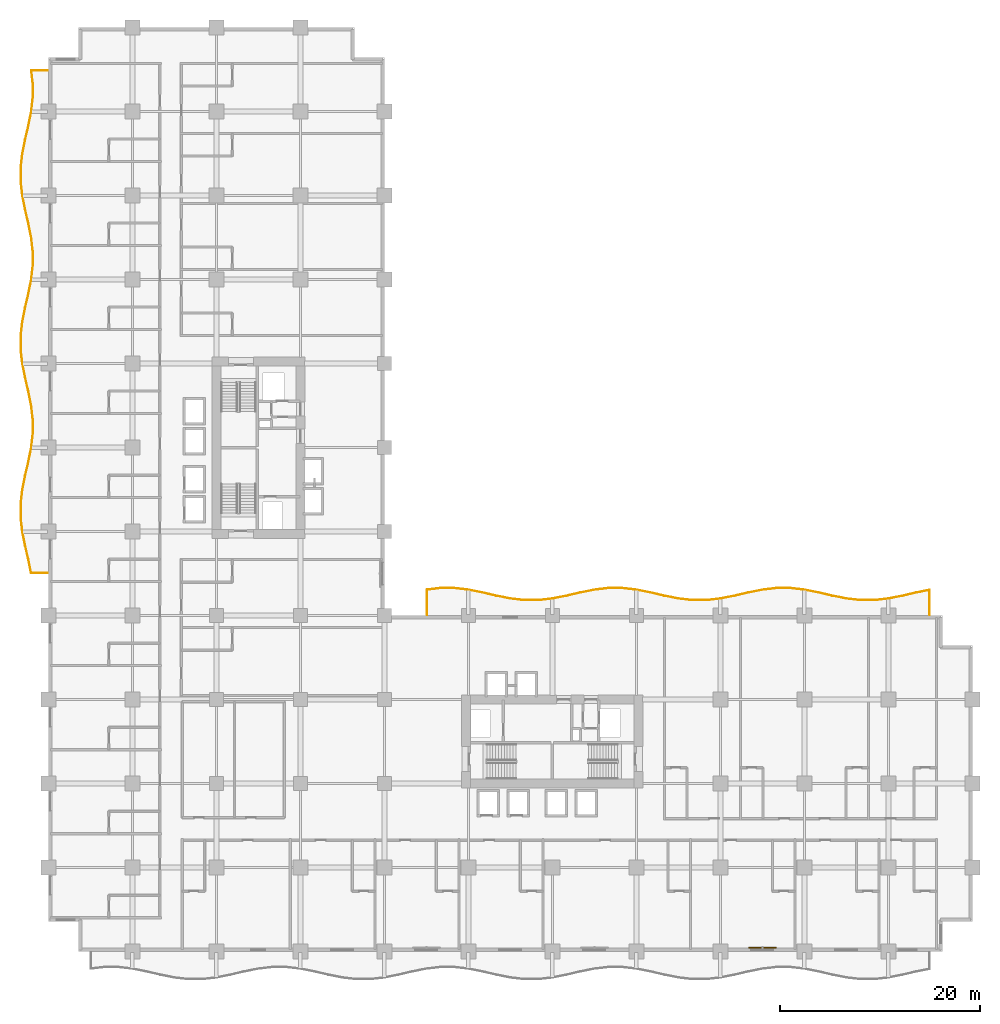
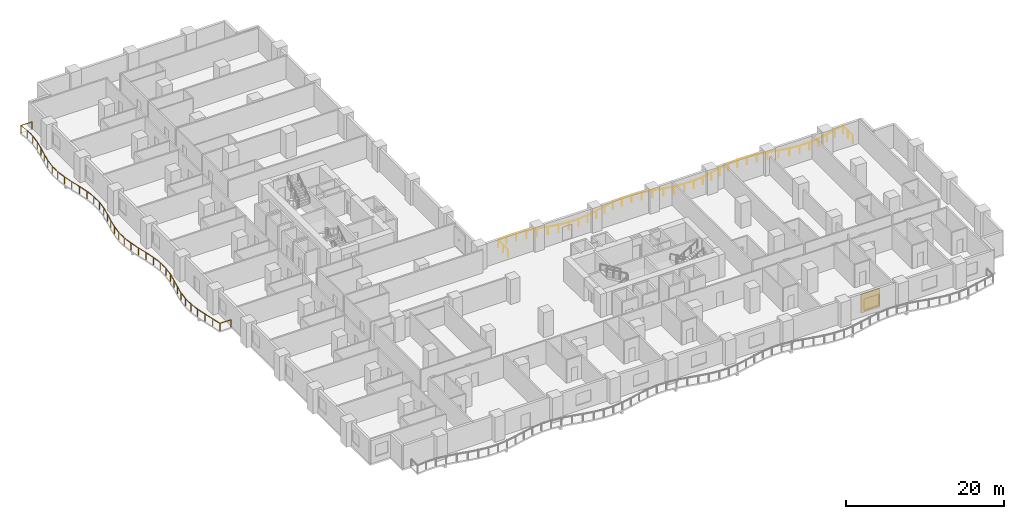
# One storey, part 20 of 20: 2 railings, 1 shading device.
"""IFC4 building model written with IfcOpenShell, lengths in metres."""

from ifc_helpers import new_model, si_unit, direction, frame, origin, origin_2d, place, context, subcontext, project, spatial, rectangle, circle, extrude, material, layer, layer_set, type_object, element, save


model = new_model("IFC4")

# Units and contexts
model_context = context("Model", 3, precision=1e-05, world=origin(), true_north=direction((0.0, 1.0)))
body_context = subcontext(model_context, "Body", "Model", "MODEL_VIEW")
ifc_project = project(units=[si_unit("LENGTHUNIT", "METRE"), si_unit("AREAUNIT", "SQUARE_METRE"), si_unit("VOLUMEUNIT", "CUBIC_METRE"), si_unit("PLANEANGLEUNIT", "RADIAN"), si_unit("MASSUNIT", "GRAM", prefix="KILO")], contexts=[model_context])

# Site, building, storey
site_placement = place(None, origin())
site = spatial("IfcSite", under=ifc_project, at=site_placement, CompositionType="ELEMENT")
building_placement = place(site_placement, origin())
building = spatial("IfcBuilding", under=site, at=building_placement, Name="Koriwani Terraces Tower", CompositionType="ELEMENT")
storey_placement = place(building_placement, frame((0.0, 0.0, 35.800048828125)))
storey = spatial("IfcBuildingStorey", under=building, at=storey_placement, Name="L07", CompositionType="ELEMENT", Elevation=35.800048828125)

# Railings
ifc_material_1 = material(Name="Steel ASTM A572 Grade 50", Category="steel")
railing_type = type_object("IfcRailingType", Name="GUARD_BALUSTRADE_1150", PredefinedType="BALUSTRADE", material=ifc_material_1)
railing_1_placement = place(storey_placement, frame((-0.080078125, 37.8798828125, 0.0)))
element("IfcRailing", 1, at=railing_1_placement, inside=storey, type_object=railing_type, Name="L07 Balcony Perimeter Safety Balustrade (W)", PredefinedType="BALUSTRADE", context=body_context, shape_type="SweptSolid", body=[
    extrude(circle(Radius=0.02392578125, at=origin_2d()), frame((0.0, 0.0, 1.1259765625), z_axis=(-1.0, 0.0, 0.0), x_axis=(0.0, -1.0, 0.0)), (0.0, 0.0, 1.0), 1.637451171875),
    extrude(circle(Radius=0.02392578125, at=origin_2d()), frame((-1.637451171875, 0.0, 1.1259765625), z_axis=(-0.196253874553, 0.980553117747, 0.0), x_axis=(-0.980553117747, -0.196253874553, 0.0)), (0.0, 0.0, 1.0), 1.363525390625),
    extrude(circle(Radius=0.02392578125, at=origin_2d()), frame((-1.905029296875, 1.3369140625, 1.1259765625), z_axis=(-0.225107657095, 0.974333896935, 0.0), x_axis=(-0.974333896935, -0.225107657095, 0.0)), (0.0, 0.0, 1.0), 1.43701171875),
    extrude(circle(Radius=0.02392578125, at=origin_2d()), frame((-2.228515625, 2.737060546875, 1.1259765625), z_axis=(-0.196248091466, 0.980554275191, 0.0), x_axis=(-0.980554275191, -0.196248091466, 0.0)), (0.0, 0.0, 1.0), 1.423095703125),
    extrude(circle(Radius=0.02392578125, at=origin_2d()), frame((-2.5078125, 4.132568359375, 1.1259765625), z_axis=(-0.114809259658, 0.993387554732, 0.0), x_axis=(-0.993387554732, -0.114809259658, 0.0)), (0.0, 0.0, 1.0), 1.4013671875),
    extrude(circle(Radius=0.02392578125, at=origin_2d()), frame((-2.668701171875, 5.524658203125, 1.1259765625), z_axis=(0.0, 1.0, 0.0), x_axis=(-1.0, 0.0, 0.0)), (0.0, 0.0, 1.0), 1.390869140625),
    extrude(circle(Radius=0.02392578125, at=origin_2d()), frame((-2.668701171875, 6.91552734375, 1.1259765625), z_axis=(0.114809259658, 0.993387554732, 0.0), x_axis=(-0.993387554732, 0.114809259658, 0.0)), (0.0, 0.0, 1.0), 1.4013671875),
    extrude(circle(Radius=0.02392578125, at=origin_2d()), frame((-2.5078125, 8.3076171875, 1.1259765625), z_axis=(0.196248091466, 0.980554275191, 0.0), x_axis=(-0.980554275191, 0.196248091466, 0.0)), (0.0, 0.0, 1.0), 1.423095703125),
    extrude(circle(Radius=0.02392578125, at=origin_2d()), frame((-2.228515625, 9.703125, 1.1259765625), z_axis=(0.225107657095, 0.974333896935, 0.0), x_axis=(-0.974333896935, 0.225107657095, 0.0)), (0.0, 0.0, 1.0), 1.43701171875),
    extrude(circle(Radius=0.02392578125, at=origin_2d()), frame((-1.905029296875, 11.103271484375, 1.1259765625), z_axis=(0.196181690301, 0.980567562379, 0.0), x_axis=(-0.980567562379, 0.196181690301, 0.0)), (0.0, 0.0, 1.0), 1.432373046875),
    extrude(circle(Radius=0.02392578125, at=origin_2d()), frame((-1.6240234375, 12.5078125, 1.1259765625), z_axis=(0.114741814309, 0.993395347306, 0.0), x_axis=(-0.993395347306, 0.114741814309, 0.0)), (0.0, 0.0, 1.0), 1.4169921875),
    extrude(circle(Radius=0.02392578125, at=origin_2d()), frame((-1.46142578125, 13.91552734375, 1.1259765625), z_axis=(0.0, 1.0, 0.0), x_axis=(-1.0, 0.0, 0.0)), (0.0, 0.0, 1.0), 1.4091796875),
    extrude(circle(Radius=0.02392578125, at=origin_2d()), frame((-1.46142578125, 15.32470703125, 1.1259765625), z_axis=(-0.114741814309, 0.993395347306, 0.0), x_axis=(-0.993395347306, -0.114741814309, 0.0)), (0.0, 0.0, 1.0), 1.4169921875),
    extrude(circle(Radius=0.02392578125, at=origin_2d()), frame((-1.6240234375, 16.732421875, 1.1259765625), z_axis=(-0.196181690301, 0.980567562379, 0.0), x_axis=(-0.980567562379, -0.196181690301, 0.0)), (0.0, 0.0, 1.0), 1.432373046875),
    extrude(circle(Radius=0.02392578125, at=origin_2d()), frame((-1.905029296875, 18.136962890625, 1.1259765625), z_axis=(-0.225107657095, 0.974333896935, 0.0), x_axis=(-0.974333896935, -0.225107657095, 0.0)), (0.0, 0.0, 1.0), 1.43701171875),
    extrude(circle(Radius=0.02392578125, at=origin_2d()), frame((-2.228515625, 19.537109375, 1.1259765625), z_axis=(-0.196248091466, 0.980554275191, 0.0), x_axis=(-0.980554275191, -0.196248091466, 0.0)), (0.0, 0.0, 1.0), 1.423095703125),
    extrude(circle(Radius=0.02392578125, at=origin_2d()), frame((-2.5078125, 20.9326171875, 1.1259765625), z_axis=(-0.114809259658, 0.993387554732, 0.0), x_axis=(-0.993387554732, -0.114809259658, 0.0)), (0.0, 0.0, 1.0), 1.4013671875),
    extrude(circle(Radius=0.02392578125, at=origin_2d()), frame((-2.668701171875, 22.32470703125, 1.1259765625), z_axis=(0.0, 1.0, 0.0), x_axis=(-1.0, 0.0, 0.0)), (0.0, 0.0, 1.0), 1.390869140625),
    extrude(circle(Radius=0.02392578125, at=origin_2d()), frame((-2.668701171875, 23.715576171875, 1.1259765625), z_axis=(0.114809259658, 0.993387554732, 0.0), x_axis=(-0.993387554732, 0.114809259658, 0.0)), (0.0, 0.0, 1.0), 1.4013671875),
    extrude(circle(Radius=0.02392578125, at=origin_2d()), frame((-2.5078125, 25.107666015625, 1.1259765625), z_axis=(0.196248091466, 0.980554275191, 0.0), x_axis=(-0.980554275191, 0.196248091466, 0.0)), (0.0, 0.0, 1.0), 1.423095703125),
    extrude(circle(Radius=0.02392578125, at=origin_2d()), frame((-2.228515625, 26.503173828125, 1.1259765625), z_axis=(0.225107657095, 0.974333896935, 0.0), x_axis=(-0.974333896935, 0.225107657095, 0.0)), (0.0, 0.0, 1.0), 1.43701171875),
    extrude(circle(Radius=0.02392578125, at=origin_2d()), frame((-1.905029296875, 27.9033203125, 1.1259765625), z_axis=(0.19621448399, 0.980561000791, 0.0), x_axis=(-0.980561000791, 0.19621448399, 0.0)), (0.0, 0.0, 1.0), 1.43212890625),
    extrude(circle(Radius=0.02392578125, at=origin_2d()), frame((-1.6240234375, 29.3076171875, 1.1259765625), z_axis=(0.114722179915, 0.993397614974, 0.0), x_axis=(-0.993397614974, 0.114722179915, 0.0)), (0.0, 0.0, 1.0), 1.417236328125),
    extrude(circle(Radius=0.02392578125, at=origin_2d()), frame((-1.46142578125, 30.715576171875, 1.1259765625), z_axis=(0.0, 1.0, 0.0), x_axis=(-1.0, 0.0, 0.0)), (0.0, 0.0, 1.0), 1.4091796875),
    extrude(circle(Radius=0.02392578125, at=origin_2d()), frame((-1.46142578125, 32.124755859375, 1.1259765625), z_axis=(-0.114741814309, 0.993395347306, 0.0), x_axis=(-0.993395347306, -0.114741814309, 0.0)), (0.0, 0.0, 1.0), 1.4169921875),
    extrude(circle(Radius=0.02392578125, at=origin_2d()), frame((-1.6240234375, 33.532470703125, 1.1259765625), z_axis=(-0.196181690301, 0.980567562379, 0.0), x_axis=(-0.980567562379, -0.196181690301, 0.0)), (0.0, 0.0, 1.0), 1.432373046875),
    extrude(circle(Radius=0.02392578125, at=origin_2d()), frame((-1.905029296875, 34.93701171875, 1.1259765625), z_axis=(-0.225144925641, 0.974325285753, 0.0), x_axis=(-0.974325285753, -0.225144925641, 0.0)), (0.0, 0.0, 1.0), 1.436767578125),
    extrude(circle(Radius=0.02392578125, at=origin_2d()), frame((-2.228515625, 36.3369140625, 1.1259765625), z_axis=(-0.196215086073, 0.980560880312, 0.0), x_axis=(-0.980560880312, -0.196215086073, 0.0)), (0.0, 0.0, 1.0), 1.42333984375),
    extrude(circle(Radius=0.02392578125, at=origin_2d()), frame((-2.5078125, 37.732666015625, 1.1259765625), z_axis=(-0.114809259658, 0.993387554732, 0.0), x_axis=(-0.993387554732, -0.114809259658, 0.0)), (0.0, 0.0, 1.0), 1.4013671875),
    extrude(circle(Radius=0.02392578125, at=origin_2d()), frame((-2.668701171875, 39.124755859375, 1.1259765625), z_axis=(0.0, 1.0, 0.0), x_axis=(-1.0, 0.0, 0.0)), (0.0, 0.0, 1.0), 1.390869140625),
    extrude(circle(Radius=0.02392578125, at=origin_2d()), frame((-2.668701171875, 40.515625, 1.1259765625), z_axis=(0.114809259658, 0.993387554732, 0.0), x_axis=(-0.993387554732, 0.114809259658, 0.0)), (0.0, 0.0, 1.0), 1.4013671875),
    extrude(circle(Radius=0.02392578125, at=origin_2d()), frame((-2.5078125, 41.90771484375, 1.1259765625), z_axis=(0.196248091466, 0.980554275191, 0.0), x_axis=(-0.980554275191, 0.196248091466, 0.0)), (0.0, 0.0, 1.0), 1.423095703125),
    extrude(circle(Radius=0.02392578125, at=origin_2d()), frame((-2.228515625, 43.30322265625, 1.1259765625), z_axis=(0.225144925641, 0.974325285753, 0.0), x_axis=(-0.974325285753, 0.225144925641, 0.0)), (0.0, 0.0, 1.0), 1.436767578125),
    extrude(circle(Radius=0.02392578125, at=origin_2d()), frame((-1.905029296875, 44.703125, 1.1259765625), z_axis=(0.196181690301, 0.980567562379, 0.0), x_axis=(-0.980567562379, 0.196181690301, 0.0)), (0.0, 0.0, 1.0), 1.432373046875),
    extrude(circle(Radius=0.02392578125, at=origin_2d()), frame((-1.6240234375, 46.107666015625, 1.1259765625), z_axis=(0.114722179915, 0.993397614974, 0.0), x_axis=(-0.993397614974, 0.114722179915, 0.0)), (0.0, 0.0, 1.0), 1.417236328125),
    extrude(circle(Radius=0.02392578125, at=origin_2d()), frame((-1.46142578125, 47.515625, 1.1259765625), z_axis=(0.0, 1.0, 0.0), x_axis=(-1.0, 0.0, 0.0)), (0.0, 0.0, 1.0), 1.4091796875),
    extrude(circle(Radius=0.02392578125, at=origin_2d()), frame((-1.46142578125, 48.9248046875, 1.1259765625), z_axis=(-0.11468009264, 0.993402474505, 0.0), x_axis=(-0.993402474505, -0.11468009264, 0.0)), (0.0, 0.0, 1.0), 1.32421875),
    extrude(circle(Radius=0.02392578125, at=origin_2d()), frame((-1.61328125, 50.240234375, 1.1259765625), z_axis=(1.0, 0.0, 0.0), x_axis=(0.0, 1.0, 0.0)), (0.0, 0.0, 1.0), 1.61328125),
    extrude(circle(Radius=0.02099609375, at=origin_2d()), origin(), (0.0, 0.0, 1.0), 1.101806640625),
    extrude(circle(Radius=0.02099609375, at=origin_2d()), frame((-1.637451171875, 0.0, 0.0)), (0.0, 0.0, 1.0), 1.101806640625),
    extrude(circle(Radius=0.02099609375, at=origin_2d()), frame((-1.905029296875, 1.3369140625, 0.0)), (0.0, 0.0, 1.0), 1.101806640625),
    extrude(circle(Radius=0.02099609375, at=origin_2d()), frame((-2.228515625, 2.737060546875, 0.0)), (0.0, 0.0, 1.0), 1.101806640625),
    extrude(circle(Radius=0.02099609375, at=origin_2d()), frame((-2.5078125, 4.132568359375, 0.0)), (0.0, 0.0, 1.0), 1.101806640625),
    extrude(circle(Radius=0.02099609375, at=origin_2d()), frame((-2.668701171875, 5.524658203125, 0.0)), (0.0, 0.0, 1.0), 1.101806640625),
    extrude(circle(Radius=0.02099609375, at=origin_2d()), frame((-2.668701171875, 6.91552734375, 0.0)), (0.0, 0.0, 1.0), 1.101806640625),
    extrude(circle(Radius=0.02099609375, at=origin_2d()), frame((-2.5078125, 8.3076171875, 0.0)), (0.0, 0.0, 1.0), 1.101806640625),
    extrude(circle(Radius=0.02099609375, at=origin_2d()), frame((-2.228515625, 9.703125, 0.0)), (0.0, 0.0, 1.0), 1.101806640625),
    extrude(circle(Radius=0.02099609375, at=origin_2d()), frame((-1.905029296875, 11.103271484375, 0.0)), (0.0, 0.0, 1.0), 1.101806640625),
    extrude(circle(Radius=0.02099609375, at=origin_2d()), frame((-1.6240234375, 12.5078125, 0.0)), (0.0, 0.0, 1.0), 1.101806640625),
    extrude(circle(Radius=0.02099609375, at=origin_2d()), frame((-1.46142578125, 13.91552734375, 0.0)), (0.0, 0.0, 1.0), 1.101806640625),
    extrude(circle(Radius=0.02099609375, at=origin_2d()), frame((-1.46142578125, 15.32470703125, 0.0)), (0.0, 0.0, 1.0), 1.101806640625),
    extrude(circle(Radius=0.02099609375, at=origin_2d()), frame((-1.6240234375, 16.732421875, 0.0)), (0.0, 0.0, 1.0), 1.101806640625),
    extrude(circle(Radius=0.02099609375, at=origin_2d()), frame((-1.905029296875, 18.136962890625, 0.0)), (0.0, 0.0, 1.0), 1.101806640625),
    extrude(circle(Radius=0.02099609375, at=origin_2d()), frame((-2.228515625, 19.537109375, 0.0)), (0.0, 0.0, 1.0), 1.101806640625),
    extrude(circle(Radius=0.02099609375, at=origin_2d()), frame((-2.5078125, 20.9326171875, 0.0)), (0.0, 0.0, 1.0), 1.101806640625),
    extrude(circle(Radius=0.02099609375, at=origin_2d()), frame((-2.668701171875, 22.32470703125, 0.0)), (0.0, 0.0, 1.0), 1.101806640625),
    extrude(circle(Radius=0.02099609375, at=origin_2d()), frame((-2.668701171875, 23.715576171875, 0.0)), (0.0, 0.0, 1.0), 1.101806640625),
    extrude(circle(Radius=0.02099609375, at=origin_2d()), frame((-2.5078125, 25.107666015625, 0.0)), (0.0, 0.0, 1.0), 1.101806640625),
    extrude(circle(Radius=0.02099609375, at=origin_2d()), frame((-2.228515625, 26.503173828125, 0.0)), (0.0, 0.0, 1.0), 1.101806640625),
    extrude(circle(Radius=0.02099609375, at=origin_2d()), frame((-1.905029296875, 27.9033203125, 0.0)), (0.0, 0.0, 1.0), 1.101806640625),
    extrude(circle(Radius=0.02099609375, at=origin_2d()), frame((-1.6240234375, 29.3076171875, 0.0)), (0.0, 0.0, 1.0), 1.101806640625),
    extrude(circle(Radius=0.02099609375, at=origin_2d()), frame((-1.46142578125, 30.715576171875, 0.0)), (0.0, 0.0, 1.0), 1.101806640625),
    extrude(circle(Radius=0.02099609375, at=origin_2d()), frame((-1.46142578125, 32.124755859375, 0.0)), (0.0, 0.0, 1.0), 1.101806640625),
    extrude(circle(Radius=0.02099609375, at=origin_2d()), frame((-1.6240234375, 33.532470703125, 0.0)), (0.0, 0.0, 1.0), 1.101806640625),
    extrude(circle(Radius=0.02099609375, at=origin_2d()), frame((-1.905029296875, 34.93701171875, 0.0)), (0.0, 0.0, 1.0), 1.101806640625),
    extrude(circle(Radius=0.02099609375, at=origin_2d()), frame((-2.228515625, 36.3369140625, 0.0)), (0.0, 0.0, 1.0), 1.101806640625),
    extrude(circle(Radius=0.02099609375, at=origin_2d()), frame((-2.5078125, 37.732666015625, 0.0)), (0.0, 0.0, 1.0), 1.101806640625),
    extrude(circle(Radius=0.02099609375, at=origin_2d()), frame((-2.668701171875, 39.124755859375, 0.0)), (0.0, 0.0, 1.0), 1.101806640625),
    extrude(circle(Radius=0.02099609375, at=origin_2d()), frame((-2.668701171875, 40.515625, 0.0)), (0.0, 0.0, 1.0), 1.101806640625),
    extrude(circle(Radius=0.02099609375, at=origin_2d()), frame((-2.5078125, 41.90771484375, 0.0)), (0.0, 0.0, 1.0), 1.101806640625),
    extrude(circle(Radius=0.02099609375, at=origin_2d()), frame((-2.228515625, 43.30322265625, 0.0)), (0.0, 0.0, 1.0), 1.101806640625),
    extrude(circle(Radius=0.02099609375, at=origin_2d()), frame((-1.905029296875, 44.703125, 0.0)), (0.0, 0.0, 1.0), 1.101806640625),
    extrude(circle(Radius=0.02099609375, at=origin_2d()), frame((-1.6240234375, 46.107666015625, 0.0)), (0.0, 0.0, 1.0), 1.101806640625),
    extrude(circle(Radius=0.02099609375, at=origin_2d()), frame((-1.46142578125, 47.515625, 0.0)), (0.0, 0.0, 1.0), 1.101806640625),
    extrude(circle(Radius=0.02099609375, at=origin_2d()), frame((-1.46142578125, 48.9248046875, 0.0)), (0.0, 0.0, 1.0), 1.101806640625),
    extrude(circle(Radius=0.02099609375, at=origin_2d()), frame((-1.61328125, 50.240234375, 0.0)), (0.0, 0.0, 1.0), 1.101806640625),
    extrude(circle(Radius=0.02099609375, at=origin_2d()), frame((0.0, 50.240234375, 0.0)), (0.0, 0.0, 1.0), 1.101806640625),
])
railing_2_placement = place(storey_placement, frame((88.1201171875, 33.679931640625, 0.0)))
element("IfcRailing", 2, at=railing_2_placement, inside=storey, type_object=railing_type, Name="L07 Balcony Perimeter Safety Balustrade (NE)", PredefinedType="BALUSTRADE", context=body_context, shape_type="SweptSolid", body=[
    extrude(circle(Radius=0.02392578125, at=origin_2d()), frame((0.0, 0.0, 1.1259765625), z_axis=(0.0, 1.0, 0.0), x_axis=(-1.0, 0.0, 0.0)), (0.0, 0.0, 1.0), 2.4892578125),
    extrude(circle(Radius=0.02392578125, at=origin_2d()), frame((0.0, 2.4892578125, 1.1259765625), z_axis=(-0.980601866361, -0.196010152006, 0.0), x_axis=(0.196010152006, -0.980601866361, 0.0)), (0.0, 0.0, 1.0), 1.3291015625),
    extrude(circle(Radius=0.02392578125, at=origin_2d()), frame((-1.30322265625, 2.228759765625, 1.1259765625), z_axis=(-0.974287999277, -0.22530622376, 0.0), x_axis=(0.22530622376, -0.974287999277, 0.0)), (0.0, 0.0, 1.0), 1.436767578125),
    extrude(circle(Radius=0.02392578125, at=origin_2d()), frame((-2.703125, 1.905029296875, 1.1259765625), z_axis=(-0.980600338098, -0.196017797464, 0.0), x_axis=(0.196017797464, -0.980600338098, 0.0)), (0.0, 0.0, 1.0), 1.432373046875),
    extrude(circle(Radius=0.02392578125, at=origin_2d()), frame((-4.107666015625, 1.624267578125, 1.1259765625), z_axis=(-0.993397614974, -0.114722179915, 0.0), x_axis=(0.114722179915, -0.993397614974, 0.0)), (0.0, 0.0, 1.0), 1.417236328125),
    extrude(circle(Radius=0.02392578125, at=origin_2d()), frame((-5.515625, 1.461669921875, 1.1259765625), z_axis=(-1.0, 0.0, 0.0), x_axis=(0.0, -1.0, 0.0)), (0.0, 0.0, 1.0), 1.4091796875),
    extrude(circle(Radius=0.02392578125, at=origin_2d()), frame((-6.9248046875, 1.461669921875, 1.1259765625), z_axis=(-0.993395347306, 0.114741814309, 0.0), x_axis=(-0.114741814309, -0.993395347306, 0.0)), (0.0, 0.0, 1.0), 1.4169921875),
    extrude(circle(Radius=0.02392578125, at=origin_2d()), frame((-8.33251953125, 1.624267578125, 1.1259765625), z_axis=(-0.980600338098, 0.196017797464, 0.0), x_axis=(-0.196017797464, -0.980600338098, 0.0)), (0.0, 0.0, 1.0), 1.432373046875),
    extrude(circle(Radius=0.02392578125, at=origin_2d()), frame((-9.737060546875, 1.905029296875, 1.1259765625), z_axis=(-0.974287999277, 0.22530622376, 0.0), x_axis=(-0.22530622376, -0.974287999277, 0.0)), (0.0, 0.0, 1.0), 1.436767578125),
    extrude(circle(Radius=0.02392578125, at=origin_2d()), frame((-11.136962890625, 2.228759765625, 1.1259765625), z_axis=(-0.980593867507, 0.19605016452, 0.0), x_axis=(-0.19605016452, -0.980593867507, 0.0)), (0.0, 0.0, 1.0), 1.42333984375),
    extrude(circle(Radius=0.02392578125, at=origin_2d()), frame((-12.53271484375, 2.5078125, 1.1259765625), z_axis=(-0.993387554732, 0.114809259658, 0.0), x_axis=(-0.114809259658, -0.993387554732, 0.0)), (0.0, 0.0, 1.0), 1.4013671875),
    extrude(circle(Radius=0.02392578125, at=origin_2d()), frame((-13.9248046875, 2.668701171875, 1.1259765625), z_axis=(-1.0, 0.0, 0.0), x_axis=(0.0, -1.0, 0.0)), (0.0, 0.0, 1.0), 1.390625),
    extrude(circle(Radius=0.02392578125, at=origin_2d()), frame((-15.3154296875, 2.668701171875, 1.1259765625), z_axis=(-0.993387554732, -0.114809259658, 0.0), x_axis=(0.114809259658, -0.993387554732, 0.0)), (0.0, 0.0, 1.0), 1.4013671875),
    extrude(circle(Radius=0.02392578125, at=origin_2d()), frame((-16.70751953125, 2.5078125, 1.1259765625), z_axis=(-0.980593867507, -0.19605016452, 0.0), x_axis=(0.19605016452, -0.980593867507, 0.0)), (0.0, 0.0, 1.0), 1.42333984375),
    extrude(circle(Radius=0.02392578125, at=origin_2d()), frame((-18.103271484375, 2.228759765625, 1.1259765625), z_axis=(-0.974287999277, -0.22530622376, 0.0), x_axis=(0.22530622376, -0.974287999277, 0.0)), (0.0, 0.0, 1.0), 1.436767578125),
    extrude(circle(Radius=0.02392578125, at=origin_2d()), frame((-19.503173828125, 1.905029296875, 1.1259765625), z_axis=(-0.980600338098, -0.196017797464, 0.0), x_axis=(0.196017797464, -0.980600338098, 0.0)), (0.0, 0.0, 1.0), 1.432373046875),
    extrude(circle(Radius=0.02392578125, at=origin_2d()), frame((-20.90771484375, 1.624267578125, 1.1259765625), z_axis=(-0.993395347306, -0.114741814309, 0.0), x_axis=(0.114741814309, -0.993395347306, 0.0)), (0.0, 0.0, 1.0), 1.4169921875),
    extrude(circle(Radius=0.02392578125, at=origin_2d()), frame((-22.3154296875, 1.461669921875, 1.1259765625), z_axis=(-1.0, 0.0, 0.0), x_axis=(0.0, -1.0, 0.0)), (0.0, 0.0, 1.0), 1.4091796875),
    extrude(circle(Radius=0.02392578125, at=origin_2d()), frame((-23.724609375, 1.461669921875, 1.1259765625), z_axis=(-0.993397614974, 0.114722179915, 0.0), x_axis=(-0.114722179915, -0.993397614974, 0.0)), (0.0, 0.0, 1.0), 1.417236328125),
    extrude(circle(Radius=0.02392578125, at=origin_2d()), frame((-25.132568359375, 1.624267578125, 1.1259765625), z_axis=(-0.980600338098, 0.196017797464, 0.0), x_axis=(-0.196017797464, -0.980600338098, 0.0)), (0.0, 0.0, 1.0), 1.432373046875),
    extrude(circle(Radius=0.02392578125, at=origin_2d()), frame((-26.537109375, 1.905029296875, 1.1259765625), z_axis=(-0.974287999277, 0.22530622376, 0.0), x_axis=(-0.22530622376, -0.974287999277, 0.0)), (0.0, 0.0, 1.0), 1.436767578125),
    extrude(circle(Radius=0.02392578125, at=origin_2d()), frame((-27.93701171875, 2.228759765625, 1.1259765625), z_axis=(-0.980587273263, 0.196083144391, 0.0), x_axis=(-0.196083144391, -0.980587273263, 0.0)), (0.0, 0.0, 1.0), 1.423095703125),
    extrude(circle(Radius=0.02392578125, at=origin_2d()), frame((-29.33251953125, 2.5078125, 1.1259765625), z_axis=(-0.993387554732, 0.114809259658, 0.0), x_axis=(-0.114809259658, -0.993387554732, 0.0)), (0.0, 0.0, 1.0), 1.4013671875),
    extrude(circle(Radius=0.02392578125, at=origin_2d()), frame((-30.724609375, 2.668701171875, 1.1259765625), z_axis=(-1.0, 0.0, 0.0), x_axis=(0.0, -1.0, 0.0)), (0.0, 0.0, 1.0), 1.390869140625),
    extrude(circle(Radius=0.02392578125, at=origin_2d()), frame((-32.115478515625, 2.668701171875, 1.1259765625), z_axis=(-0.993387554732, -0.114809259658, 0.0), x_axis=(0.114809259658, -0.993387554732, 0.0)), (0.0, 0.0, 1.0), 1.4013671875),
    extrude(circle(Radius=0.02392578125, at=origin_2d()), frame((-33.507568359375, 2.5078125, 1.1259765625), z_axis=(-0.980593867507, -0.19605016452, 0.0), x_axis=(0.19605016452, -0.980593867507, 0.0)), (0.0, 0.0, 1.0), 1.42333984375),
    extrude(circle(Radius=0.02392578125, at=origin_2d()), frame((-34.9033203125, 2.228759765625, 1.1259765625), z_axis=(-0.974287999277, -0.22530622376, 0.0), x_axis=(0.22530622376, -0.974287999277, 0.0)), (0.0, 0.0, 1.0), 1.436767578125),
    extrude(circle(Radius=0.02392578125, at=origin_2d()), frame((-36.30322265625, 1.905029296875, 1.1259765625), z_axis=(-0.980600338098, -0.196017797464, 0.0), x_axis=(0.196017797464, -0.980600338098, 0.0)), (0.0, 0.0, 1.0), 1.432373046875),
    extrude(circle(Radius=0.02392578125, at=origin_2d()), frame((-37.707763671875, 1.624267578125, 1.1259765625), z_axis=(-0.993395347306, -0.114741814309, 0.0), x_axis=(0.114741814309, -0.993395347306, 0.0)), (0.0, 0.0, 1.0), 1.4169921875),
    extrude(circle(Radius=0.02392578125, at=origin_2d()), frame((-39.115478515625, 1.461669921875, 1.1259765625), z_axis=(-1.0, 0.0, 0.0), x_axis=(0.0, -1.0, 0.0)), (0.0, 0.0, 1.0), 1.4091796875),
    extrude(circle(Radius=0.02392578125, at=origin_2d()), frame((-40.524658203125, 1.461669921875, 1.1259765625), z_axis=(-0.993397614974, 0.114722179915, 0.0), x_axis=(-0.114722179915, -0.993397614974, 0.0)), (0.0, 0.0, 1.0), 1.417236328125),
    extrude(circle(Radius=0.02392578125, at=origin_2d()), frame((-41.9326171875, 1.624267578125, 1.1259765625), z_axis=(-0.980593787249, 0.196050565949, 0.0), x_axis=(-0.196050565949, -0.980593787249, 0.0)), (0.0, 0.0, 1.0), 1.43212890625),
    extrude(circle(Radius=0.02392578125, at=origin_2d()), frame((-43.3369140625, 1.905029296875, 1.1259765625), z_axis=(-0.974296622472, 0.225268931368, 0.0), x_axis=(-0.225268931368, -0.974296622472, 0.0)), (0.0, 0.0, 1.0), 1.43701171875),
    extrude(circle(Radius=0.02392578125, at=origin_2d()), frame((-44.737060546875, 2.228759765625, 1.1259765625), z_axis=(-0.980587273263, 0.196083144391, 0.0), x_axis=(-0.196083144391, -0.980587273263, 0.0)), (0.0, 0.0, 1.0), 1.423095703125),
    extrude(circle(Radius=0.02392578125, at=origin_2d()), frame((-46.132568359375, 2.5078125, 1.1259765625), z_axis=(-0.993387554732, 0.114809259658, 0.0), x_axis=(-0.114809259658, -0.993387554732, 0.0)), (0.0, 0.0, 1.0), 1.4013671875),
    extrude(circle(Radius=0.02392578125, at=origin_2d()), frame((-47.524658203125, 2.668701171875, 1.1259765625), z_axis=(-1.0, 0.0, 0.0), x_axis=(0.0, -1.0, 0.0)), (0.0, 0.0, 1.0), 1.390869140625),
    extrude(circle(Radius=0.02392578125, at=origin_2d()), frame((-48.91552734375, 2.668701171875, 1.1259765625), z_axis=(-0.993389678473, -0.114790882492, 0.0), x_axis=(0.114790882492, -0.993389678473, 0.0)), (0.0, 0.0, 1.0), 1.33349609375),
    extrude(circle(Radius=0.02392578125, at=origin_2d()), frame((-50.240234375, 2.515625, 1.1259765625), z_axis=(0.0, -1.0, 0.0), x_axis=(1.0, 0.0, 0.0)), (0.0, 0.0, 1.0), 2.515625),
    extrude(circle(Radius=0.02099609375, at=origin_2d()), origin(), (0.0, 0.0, 1.0), 1.101806640625),
    extrude(circle(Radius=0.02099609375, at=origin_2d()), frame((0.0, 1.24462890625, 0.0)), (0.0, 0.0, 1.0), 1.101806640625),
    extrude(circle(Radius=0.02099609375, at=origin_2d()), frame((0.0, 2.4892578125, 0.0)), (0.0, 0.0, 1.0), 1.101806640625),
    extrude(circle(Radius=0.02099609375, at=origin_2d()), frame((-1.30322265625, 2.228759765625, 0.0)), (0.0, 0.0, 1.0), 1.101806640625),
    extrude(circle(Radius=0.02099609375, at=origin_2d()), frame((-2.703125, 1.905029296875, 0.0)), (0.0, 0.0, 1.0), 1.101806640625),
    extrude(circle(Radius=0.02099609375, at=origin_2d()), frame((-4.107666015625, 1.624267578125, 0.0)), (0.0, 0.0, 1.0), 1.101806640625),
    extrude(circle(Radius=0.02099609375, at=origin_2d()), frame((-5.515625, 1.461669921875, 0.0)), (0.0, 0.0, 1.0), 1.101806640625),
    extrude(circle(Radius=0.02099609375, at=origin_2d()), frame((-6.9248046875, 1.461669921875, 0.0)), (0.0, 0.0, 1.0), 1.101806640625),
    extrude(circle(Radius=0.02099609375, at=origin_2d()), frame((-8.33251953125, 1.624267578125, 0.0)), (0.0, 0.0, 1.0), 1.101806640625),
    extrude(circle(Radius=0.02099609375, at=origin_2d()), frame((-9.737060546875, 1.905029296875, 0.0)), (0.0, 0.0, 1.0), 1.101806640625),
    extrude(circle(Radius=0.02099609375, at=origin_2d()), frame((-11.136962890625, 2.228759765625, 0.0)), (0.0, 0.0, 1.0), 1.101806640625),
    extrude(circle(Radius=0.02099609375, at=origin_2d()), frame((-12.53271484375, 2.5078125, 0.0)), (0.0, 0.0, 1.0), 1.101806640625),
    extrude(circle(Radius=0.02099609375, at=origin_2d()), frame((-13.9248046875, 2.668701171875, 0.0)), (0.0, 0.0, 1.0), 1.101806640625),
    extrude(circle(Radius=0.02099609375, at=origin_2d()), frame((-15.3154296875, 2.668701171875, 0.0)), (0.0, 0.0, 1.0), 1.101806640625),
    extrude(circle(Radius=0.02099609375, at=origin_2d()), frame((-16.70751953125, 2.5078125, 0.0)), (0.0, 0.0, 1.0), 1.101806640625),
    extrude(circle(Radius=0.02099609375, at=origin_2d()), frame((-18.103271484375, 2.228759765625, 0.0)), (0.0, 0.0, 1.0), 1.101806640625),
    extrude(circle(Radius=0.02099609375, at=origin_2d()), frame((-19.503173828125, 1.905029296875, 0.0)), (0.0, 0.0, 1.0), 1.101806640625),
    extrude(circle(Radius=0.02099609375, at=origin_2d()), frame((-20.90771484375, 1.624267578125, 0.0)), (0.0, 0.0, 1.0), 1.101806640625),
    extrude(circle(Radius=0.02099609375, at=origin_2d()), frame((-22.3154296875, 1.461669921875, 0.0)), (0.0, 0.0, 1.0), 1.101806640625),
    extrude(circle(Radius=0.02099609375, at=origin_2d()), frame((-23.724609375, 1.461669921875, 0.0)), (0.0, 0.0, 1.0), 1.101806640625),
    extrude(circle(Radius=0.02099609375, at=origin_2d()), frame((-25.132568359375, 1.624267578125, 0.0)), (0.0, 0.0, 1.0), 1.101806640625),
    extrude(circle(Radius=0.02099609375, at=origin_2d()), frame((-26.537109375, 1.905029296875, 0.0)), (0.0, 0.0, 1.0), 1.101806640625),
    extrude(circle(Radius=0.02099609375, at=origin_2d()), frame((-27.93701171875, 2.228759765625, 0.0)), (0.0, 0.0, 1.0), 1.101806640625),
    extrude(circle(Radius=0.02099609375, at=origin_2d()), frame((-29.33251953125, 2.5078125, 0.0)), (0.0, 0.0, 1.0), 1.101806640625),
    extrude(circle(Radius=0.02099609375, at=origin_2d()), frame((-30.724609375, 2.668701171875, 0.0)), (0.0, 0.0, 1.0), 1.101806640625),
    extrude(circle(Radius=0.02099609375, at=origin_2d()), frame((-32.115478515625, 2.668701171875, 0.0)), (0.0, 0.0, 1.0), 1.101806640625),
    extrude(circle(Radius=0.02099609375, at=origin_2d()), frame((-33.507568359375, 2.5078125, 0.0)), (0.0, 0.0, 1.0), 1.101806640625),
    extrude(circle(Radius=0.02099609375, at=origin_2d()), frame((-34.9033203125, 2.228759765625, 0.0)), (0.0, 0.0, 1.0), 1.101806640625),
    extrude(circle(Radius=0.02099609375, at=origin_2d()), frame((-36.30322265625, 1.905029296875, 0.0)), (0.0, 0.0, 1.0), 1.101806640625),
    extrude(circle(Radius=0.02099609375, at=origin_2d()), frame((-37.707763671875, 1.624267578125, 0.0)), (0.0, 0.0, 1.0), 1.101806640625),
    extrude(circle(Radius=0.02099609375, at=origin_2d()), frame((-39.115478515625, 1.461669921875, 0.0)), (0.0, 0.0, 1.0), 1.101806640625),
    extrude(circle(Radius=0.02099609375, at=origin_2d()), frame((-40.524658203125, 1.461669921875, 0.0)), (0.0, 0.0, 1.0), 1.101806640625),
    extrude(circle(Radius=0.02099609375, at=origin_2d()), frame((-41.9326171875, 1.624267578125, 0.0)), (0.0, 0.0, 1.0), 1.101806640625),
    extrude(circle(Radius=0.02099609375, at=origin_2d()), frame((-43.3369140625, 1.905029296875, 0.0)), (0.0, 0.0, 1.0), 1.101806640625),
    extrude(circle(Radius=0.02099609375, at=origin_2d()), frame((-44.737060546875, 2.228759765625, 0.0)), (0.0, 0.0, 1.0), 1.101806640625),
    extrude(circle(Radius=0.02099609375, at=origin_2d()), frame((-46.132568359375, 2.5078125, 0.0)), (0.0, 0.0, 1.0), 1.101806640625),
    extrude(circle(Radius=0.02099609375, at=origin_2d()), frame((-47.524658203125, 2.668701171875, 0.0)), (0.0, 0.0, 1.0), 1.101806640625),
    extrude(circle(Radius=0.02099609375, at=origin_2d()), frame((-48.91552734375, 2.668701171875, 0.0)), (0.0, 0.0, 1.0), 1.101806640625),
    extrude(circle(Radius=0.02099609375, at=origin_2d()), frame((-50.240234375, 2.515625, 0.0)), (0.0, 0.0, 1.0), 1.101806640625),
    extrude(circle(Radius=0.02099609375, at=origin_2d()), frame((-50.240234375, 1.2578125, 0.0)), (0.0, 0.0, 1.0), 1.101806640625),
    extrude(circle(Radius=0.02099609375, at=origin_2d()), frame((-50.240234375, 0.0, 0.0)), (0.0, 0.0, 1.0), 1.101806640625),
])

# Shading device
ifc_material_2 = material(Name="Extruded Terracotta Clay", Category="masonry")
ifc_layer = layer(ifc_material_2, 0.1201171875, Name="Extruded Terracotta Clay")
ifc_layer_set = layer_set([ifc_layer], Name="Extruded Terracotta Clay")
shading_device_type = type_object("IfcShadingDeviceType", Name="TERRACOTTA_BAGUETTE_SCREEN_2800", PredefinedType="USERDEFINED", material=ifc_layer_set)
shading_device_placement = place(storey_placement, frame((71.39990234375, 0.405029296875, 0.324951171875), z_axis=(0.0, 0.0, 1.0), x_axis=(-1.0, 0.0, 0.0)))
element("IfcShadingDevice", 3, at=shading_device_placement, inside=storey, type_object=shading_device_type, Name="L07 Extruded Terracotta Baguette Screen (S-24)", ObjectType="BAGUETTE", PredefinedType="USERDEFINED", context=body_context, shape_type="SweptSolid", body=[
    extrude(rectangle(XDim=2.760009765625, YDim=0.1201171875, at=origin_2d()), origin(), (0.0, 0.0, 1.0), 2.89990234375),
])

save(model, "model.ifc")
